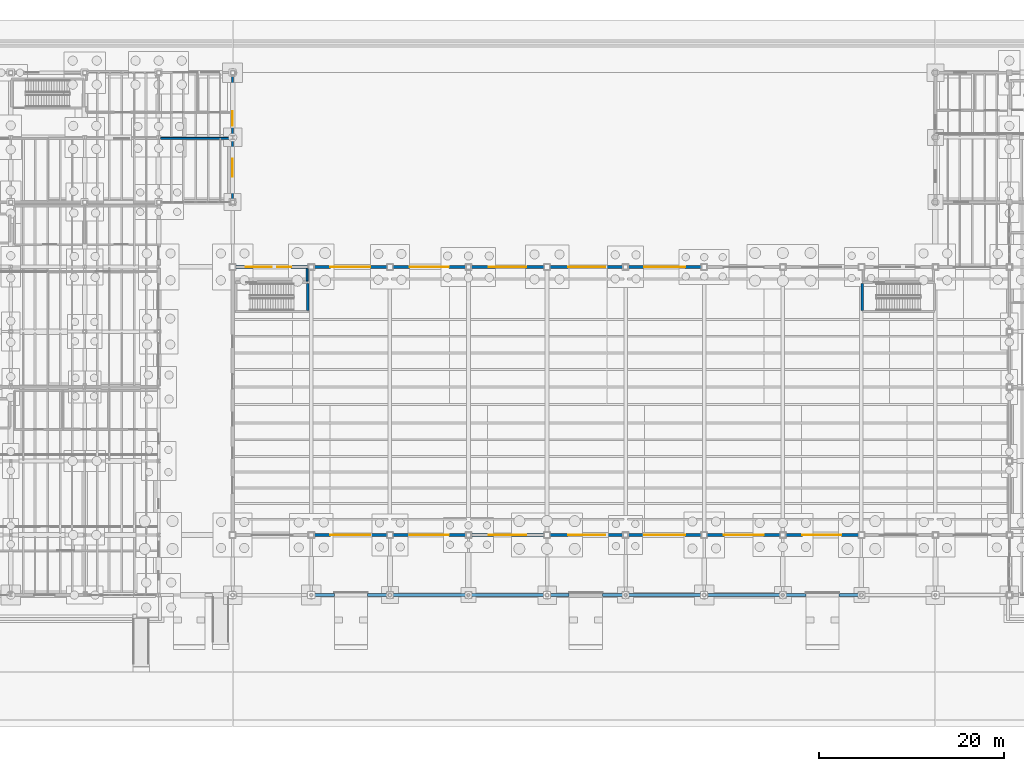
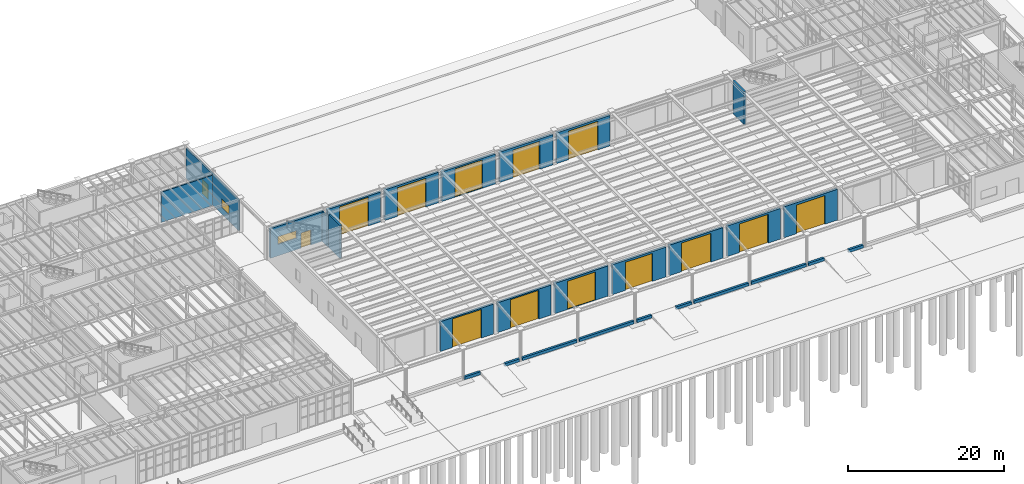
# One storey, part 63 of 86: 28 walls, 14 doors, 2 windows, 16 openings.
"""IFC4 building model written with IfcOpenShell, lengths in metres."""

from ifc_helpers import new_model, si_unit, direction, frame, frame_2d, origin, place, context, subcontext, project, spatial, rectangle, extrude, material, layer, layer_set, type_object, element, fill, save


model = new_model("IFC4")

# Units and contexts
model_context = context("Model", 3, precision=1e-05, world=origin(), true_north=direction((0.0, 1.0)))
body_context = subcontext(model_context, "Body", "Model", "MODEL_VIEW")
ifc_project = project(units=[si_unit("LENGTHUNIT", "METRE"), si_unit("AREAUNIT", "SQUARE_METRE"), si_unit("VOLUMEUNIT", "CUBIC_METRE"), si_unit("PLANEANGLEUNIT", "RADIAN"), si_unit("MASSUNIT", "GRAM", prefix="KILO"), si_unit("THERMODYNAMICTEMPERATUREUNIT", "KELVIN"), si_unit("POWERUNIT", "WATT")], contexts=[model_context])

# Site, building, storey
site_placement = place(None, origin())
site = spatial("IfcSite", under=ifc_project, at=site_placement, CompositionType="ELEMENT")
building_placement = place(site_placement, origin())
building = spatial("IfcBuilding", under=site, at=building_placement, Name="Zhenchuan Central Fire Station", CompositionType="ELEMENT")
storey_placement = place(building_placement, frame((0.0, 0.0, 0.449951171875)))
storey = spatial("IfcBuildingStorey", under=building, at=storey_placement, Name="L01", CompositionType="ELEMENT", Elevation=0.449951171875)

# Wall, openings, door, window
ifc_material_1 = material(Name="Sintered clay brick masonry MU15", Category="masonry")
ifc_layer_1 = layer(ifc_material_1, 0.35009765625, Name="Sintered clay brick masonry MU15", Category="masonry")
ifc_layer_set_1 = layer_set([ifc_layer_1], Name="Sintered clay brick masonry MU15")
wall_type_1 = type_object("IfcWallType", Name="EW-BRK350", PredefinedType="SOLIDWALL", material=ifc_layer_set_1)
wall_1_placement = place(storey_placement, frame((56.324951171875, 35.5, 0.0), z_axis=(0.0, 0.0, 1.0), x_axis=(1.0, 0.0, 0.0)))
wall_1 = element("IfcWall", 1, at=wall_1_placement, inside=storey, type_object=wall_type_1, Name="Appliance Bay 01 North Sintered Brick Return Wall", PredefinedType="SOLIDWALL", context=body_context, shape_type="SweptSolid", body=[
    extrude(rectangle(XDim=7.900146484375, YDim=0.35009765625, at=frame_2d((3.9501953125, 0.0))), origin(), (0.0, 0.0, 1.0), 4.64404296875),
])
opening_1_placement = place(wall_1_placement, frame((4.5, 0.0, 0.0)))
opening_1 = element("IfcOpeningElement", 2, at=opening_1_placement, cuts=wall_1, Name="Opening EX-001", PredefinedType="OPENING", context=body_context, shape_type="SweptSolid", body=[
    extrude(rectangle(XDim=1.5, YDim=2.39990234375, at=frame_2d((0.75, 1.199951171875))), frame((0.0, 0.18505859375, 0.0), z_axis=(0.0, -1.0, 0.0), x_axis=(1.0, 0.0, 0.0)), (0.0, 0.0, 1.0), 0.3701171875),
])
opening_2_placement = place(wall_1_placement, frame((1.10009765625, 0.0, 1.800048828125)))
opening_2 = element("IfcOpeningElement", 3, at=opening_2_placement, cuts=wall_1, Name="Opening W-38", PredefinedType="OPENING", context=body_context, shape_type="SweptSolid", body=[
    extrude(rectangle(XDim=2.800048828125, YDim=1.199951171875, at=frame_2d((1.39990234375, 0.60009765625))), frame((0.0, 0.18505859375, 0.0), z_axis=(0.0, -1.0, 0.0), x_axis=(1.0, 0.0, 0.0)), (0.0, 0.0, 1.0), 0.3701171875),
])
ifc_material_2 = material(Name="Powder-coated steel fire exit door", Category="steel")
door_type_1 = type_object("IfcDoorType", Name="ED-150x240", OperationType="NOTDEFINED", PredefinedType="DOOR", material=ifc_material_2)
door_1_placement = place(opening_1_placement, origin())
door_1 = element("IfcDoor", 4, at=door_1_placement, inside=storey, type_object=door_type_1, Name="Appliance Bay 01 North Courtyard Exit Door", OperationType="SINGLE_SWING_RIGHT", OverallHeight=2.39990234375, OverallWidth=1.5, PredefinedType="DOOR", context=body_context, shape_type="SweptSolid", body=[
    extrude(rectangle(XDim=1.5, YDim=2.39990234375, at=frame_2d((0.75, 1.199951171875))), frame((0.0, 0.02490234375, 0.0), z_axis=(0.0, -1.0, 0.0), x_axis=(1.0, 0.0, 0.0)), (0.0, 0.0, 1.0), 0.050048828125),
])
fill(opening_1, door_1)
ifc_material_3 = material(Name="Laminated low-E double glazing in aluminium frame", Category="aluminium")
window_type_1 = type_object("IfcWindowType", Name="WN-38", PartitioningType="SINGLE_PANEL", PredefinedType="WINDOW", material=ifc_material_3)
window_1_placement = place(opening_2_placement, origin())
window_1 = element("IfcWindow", 5, at=window_1_placement, inside=storey, type_object=window_type_1, Name="Exterior Window 0001", OverallHeight=1.199951171875, OverallWidth=2.800048828125, PartitioningType="SINGLE_PANEL", PredefinedType="WINDOW", context=body_context, shape_type="SweptSolid", body=[
    extrude(rectangle(XDim=2.800048828125, YDim=1.199951171875, at=frame_2d((1.39990234375, 0.60009765625))), frame((0.0, 0.030029296875, 0.0), z_axis=(0.0, -1.0, 0.0), x_axis=(1.0, 0.0, 0.0)), (0.0, 0.0, 1.0), 0.06005859375),
])
fill(opening_2, window_1)

# Wall, opening, door
wall_2_placement = place(storey_placement, frame((64.77490234375, 6.5, 0.0), z_axis=(0.0, 0.0, 1.0), x_axis=(1.0, 0.0, 0.0)))
wall_2 = element("IfcWall", 6, at=wall_2_placement, inside=storey, type_object=wall_type_1, Name="Appliance Bay 02 South Sintered Brick Portal Wall", PredefinedType="SOLIDWALL", context=body_context, shape_type="SweptSolid", body=[
    extrude(rectangle(XDim=7.900146484375, YDim=0.35009765625, at=frame_2d((3.9501953125, 0.0))), origin(), (0.0, 0.0, 1.0), 4.694091796875),
])
opening_3_placement = place(wall_2_placement, frame((1.800048828125, 0.0, 0.0)))
opening_3 = element("IfcOpeningElement", 7, at=opening_3_placement, cuts=wall_2, Name="Opening BG-002", PredefinedType="OPENING", context=body_context, shape_type="SweptSolid", body=[
    extrude(rectangle(XDim=4.300048828125, YDim=4.5, at=frame_2d((2.14990234375, 2.25))), frame((0.0, 0.18505859375, 0.0), z_axis=(0.0, -1.0, 0.0), x_axis=(1.0, 0.0, 0.0)), (0.0, 0.0, 1.0), 0.3701171875),
])
ifc_material_4 = material(Name="Anodised aluminium and laminated glazing", Category="aluminium")
door_type_2 = type_object("IfcDoorType", Name="DG-BAY-430x450", OperationType="NOTDEFINED", PredefinedType="GATE", material=ifc_material_4)
door_2_placement = place(opening_3_placement, frame((4.300048828125, 0.0, 0.0), z_axis=(0.0, 0.0, 1.0), x_axis=(-1.0, 0.0, 0.0)))
door_2 = element("IfcDoor", 8, at=door_2_placement, inside=storey, type_object=door_type_2, Name="Appliance South Glazed Bi-Fold Gate 02", OperationType="FOLDING_TO_RIGHT", OverallHeight=4.5, OverallWidth=4.300048828125, PredefinedType="GATE", context=body_context, shape_type="SweptSolid", body=[
    extrude(rectangle(XDim=4.300048828125, YDim=4.5, at=frame_2d((2.14990234375, 2.25))), frame((0.0, 0.02490234375, 0.0), z_axis=(0.0, -1.0, 0.0), x_axis=(1.0, 0.0, 0.0)), (0.0, 0.0, 1.0), 0.050048828125),
])
fill(opening_3, door_2)

wall_3_placement = place(storey_placement, frame((64.77490234375, 35.5, 0.0), z_axis=(0.0, 0.0, 1.0), x_axis=(1.0, 0.0, 0.0)))
wall_3 = element("IfcWall", 9, at=wall_3_placement, inside=storey, type_object=wall_type_1, Name="Appliance Bay 02 North Sintered Brick Return Wall", PredefinedType="SOLIDWALL", context=body_context, shape_type="SweptSolid", body=[
    extrude(rectangle(XDim=7.900146484375, YDim=0.35009765625, at=frame_2d((3.9501953125, 0.0))), origin(), (0.0, 0.0, 1.0), 4.694091796875),
])
opening_4_placement = place(wall_3_placement, frame((1.800048828125, 0.0, 0.0)))
opening_4 = element("IfcOpeningElement", 10, at=opening_4_placement, cuts=wall_3, Name="Opening BG-003", PredefinedType="OPENING", context=body_context, shape_type="SweptSolid", body=[
    extrude(rectangle(XDim=4.300048828125, YDim=4.5, at=frame_2d((2.14990234375, 2.25))), frame((0.0, 0.18505859375, 0.0), z_axis=(0.0, -1.0, 0.0), x_axis=(1.0, 0.0, 0.0)), (0.0, 0.0, 1.0), 0.3701171875),
])
door_3_placement = place(opening_4_placement, origin())
door_3 = element("IfcDoor", 11, at=door_3_placement, inside=storey, type_object=door_type_2, Name="Appliance North Glazed Bi-Fold Gate 02", OperationType="FOLDING_TO_LEFT", OverallHeight=4.5, OverallWidth=4.300048828125, PredefinedType="GATE", context=body_context, shape_type="SweptSolid", body=[
    extrude(rectangle(XDim=4.300048828125, YDim=4.5, at=frame_2d((2.14990234375, 2.25))), frame((0.0, 0.02490234375, 0.0), z_axis=(0.0, -1.0, 0.0), x_axis=(1.0, 0.0, 0.0)), (0.0, 0.0, 1.0), 0.050048828125),
])
fill(opening_4, door_3)

wall_4_placement = place(storey_placement, frame((73.324951171875, 6.5, 0.0), z_axis=(0.0, 0.0, 1.0), x_axis=(1.0, 0.0, 0.0)))
wall_4 = element("IfcWall", 12, at=wall_4_placement, inside=storey, type_object=wall_type_1, Name="Appliance Bay 03 South Sintered Brick Portal Wall", PredefinedType="SOLIDWALL", context=body_context, shape_type="SweptSolid", body=[
    extrude(rectangle(XDim=7.900146484375, YDim=0.35009765625, at=frame_2d((3.9501953125, 0.0))), origin(), (0.0, 0.0, 1.0), 4.694091796875),
])
opening_5_placement = place(wall_4_placement, frame((1.85009765625, 0.0, 0.0)))
opening_5 = element("IfcOpeningElement", 13, at=opening_5_placement, cuts=wall_4, Name="Opening BG-004", PredefinedType="OPENING", context=body_context, shape_type="SweptSolid", body=[
    extrude(rectangle(XDim=4.199951171875, YDim=4.5, at=frame_2d((2.10009765625, 2.25))), frame((0.0, 0.18505859375, 0.0), z_axis=(0.0, -1.0, 0.0), x_axis=(1.0, 0.0, 0.0)), (0.0, 0.0, 1.0), 0.3701171875),
])
door_type_3 = type_object("IfcDoorType", Name="DG-BAY-420x450", OperationType="NOTDEFINED", PredefinedType="GATE", material=ifc_material_4)
door_4_placement = place(opening_5_placement, frame((4.199951171875, 0.0, 0.0), z_axis=(0.0, 0.0, 1.0), x_axis=(-1.0, 0.0, 0.0)))
door_4 = element("IfcDoor", 14, at=door_4_placement, inside=storey, type_object=door_type_3, Name="Appliance South Glazed Bi-Fold Gate 03", OperationType="FOLDING_TO_RIGHT", OverallHeight=4.5, OverallWidth=4.199951171875, PredefinedType="GATE", context=body_context, shape_type="SweptSolid", body=[
    extrude(rectangle(XDim=4.199951171875, YDim=4.5, at=frame_2d((2.10009765625, 2.25))), frame((0.0, 0.02490234375, 0.0), z_axis=(0.0, -1.0, 0.0), x_axis=(1.0, 0.0, 0.0)), (0.0, 0.0, 1.0), 0.050048828125),
])
fill(opening_5, door_4)

wall_5_placement = place(storey_placement, frame((73.324951171875, 35.5, 0.0), z_axis=(0.0, 0.0, 1.0), x_axis=(1.0, 0.0, 0.0)))
wall_5 = element("IfcWall", 15, at=wall_5_placement, inside=storey, type_object=wall_type_1, Name="Appliance Bay 03 North Sintered Brick Return Wall", PredefinedType="SOLIDWALL", context=body_context, shape_type="SweptSolid", body=[
    extrude(rectangle(XDim=7.900146484375, YDim=0.35009765625, at=frame_2d((3.9501953125, 0.0))), origin(), (0.0, 0.0, 1.0), 4.7939453125),
])
opening_6_placement = place(wall_5_placement, frame((1.85009765625, 0.0, 0.0)))
opening_6 = element("IfcOpeningElement", 16, at=opening_6_placement, cuts=wall_5, Name="Opening BG-005", PredefinedType="OPENING", context=body_context, shape_type="SweptSolid", body=[
    extrude(rectangle(XDim=4.199951171875, YDim=4.5, at=frame_2d((2.10009765625, 2.25))), frame((0.0, 0.18505859375, 0.0), z_axis=(0.0, -1.0, 0.0), x_axis=(1.0, 0.0, 0.0)), (0.0, 0.0, 1.0), 0.3701171875),
])
door_5_placement = place(opening_6_placement, origin())
door_5 = element("IfcDoor", 17, at=door_5_placement, inside=storey, type_object=door_type_3, Name="Appliance North Glazed Bi-Fold Gate 03", OperationType="FOLDING_TO_LEFT", OverallHeight=4.5, OverallWidth=4.199951171875, PredefinedType="GATE", context=body_context, shape_type="SweptSolid", body=[
    extrude(rectangle(XDim=4.199951171875, YDim=4.5, at=frame_2d((2.10009765625, 2.25))), frame((0.0, 0.02490234375, 0.0), z_axis=(0.0, -1.0, 0.0), x_axis=(1.0, 0.0, 0.0)), (0.0, 0.0, 1.0), 0.050048828125),
])
fill(opening_6, door_5)

wall_6_placement = place(storey_placement, frame((81.77490234375, 6.5, 0.0), z_axis=(0.0, 0.0, 1.0), x_axis=(1.0, 0.0, 0.0)))
wall_6 = element("IfcWall", 18, at=wall_6_placement, inside=storey, type_object=wall_type_1, Name="Appliance Bay 04 South Sintered Brick Portal Wall", PredefinedType="SOLIDWALL", context=body_context, shape_type="SweptSolid", body=[
    extrude(rectangle(XDim=7.900146484375, YDim=0.35009765625, at=frame_2d((3.9501953125, 0.0))), origin(), (0.0, 0.0, 1.0), 4.744140625),
])
opening_7_placement = place(wall_6_placement, frame((1.89990234375, 0.0, 0.0)))
opening_7 = element("IfcOpeningElement", 19, at=opening_7_placement, cuts=wall_6, Name="Opening BG-006", PredefinedType="OPENING", context=body_context, shape_type="SweptSolid", body=[
    extrude(rectangle(XDim=4.10009765625, YDim=4.449951171875, at=frame_2d((2.050048828125, 2.22509765625))), frame((0.0, 0.18505859375, 0.0), z_axis=(0.0, -1.0, 0.0), x_axis=(1.0, 0.0, 0.0)), (0.0, 0.0, 1.0), 0.3701171875),
])
door_type_4 = type_object("IfcDoorType", Name="DG-BAY-410x445", OperationType="NOTDEFINED", PredefinedType="GATE", material=ifc_material_4)
door_6_placement = place(opening_7_placement, frame((4.10009765625, 0.0, 0.0), z_axis=(0.0, 0.0, 1.0), x_axis=(-1.0, 0.0, 0.0)))
door_6 = element("IfcDoor", 20, at=door_6_placement, inside=storey, type_object=door_type_4, Name="Appliance South Glazed Bi-Fold Gate 04", OperationType="FOLDING_TO_RIGHT", OverallHeight=4.449951171875, OverallWidth=4.10009765625, PredefinedType="GATE", context=body_context, shape_type="SweptSolid", body=[
    extrude(rectangle(XDim=4.10009765625, YDim=4.449951171875, at=frame_2d((2.050048828125, 2.22509765625))), frame((0.0, 0.02490234375, 0.0), z_axis=(0.0, -1.0, 0.0), x_axis=(1.0, 0.0, 0.0)), (0.0, 0.0, 1.0), 0.050048828125),
])
fill(opening_7, door_6)

wall_7_placement = place(storey_placement, frame((81.77490234375, 35.5, 0.0), z_axis=(0.0, 0.0, 1.0), x_axis=(1.0, 0.0, 0.0)))
wall_7 = element("IfcWall", 21, at=wall_7_placement, inside=storey, type_object=wall_type_1, Name="Appliance Bay 04 North Sintered Brick Return Wall", PredefinedType="SOLIDWALL", context=body_context, shape_type="SweptSolid", body=[
    extrude(rectangle(XDim=7.900146484375, YDim=0.35009765625, at=frame_2d((3.9501953125, 0.0))), origin(), (0.0, 0.0, 1.0), 4.694091796875),
])
opening_8_placement = place(wall_7_placement, frame((1.89990234375, 0.0, 0.0)))
opening_8 = element("IfcOpeningElement", 22, at=opening_8_placement, cuts=wall_7, Name="Opening BG-007", PredefinedType="OPENING", context=body_context, shape_type="SweptSolid", body=[
    extrude(rectangle(XDim=4.10009765625, YDim=4.449951171875, at=frame_2d((2.050048828125, 2.22509765625))), frame((0.0, 0.18505859375, 0.0), z_axis=(0.0, -1.0, 0.0), x_axis=(1.0, 0.0, 0.0)), (0.0, 0.0, 1.0), 0.3701171875),
])
door_7_placement = place(opening_8_placement, origin())
door_7 = element("IfcDoor", 23, at=door_7_placement, inside=storey, type_object=door_type_4, Name="Appliance North Glazed Bi-Fold Gate 04", OperationType="FOLDING_TO_LEFT", OverallHeight=4.449951171875, OverallWidth=4.10009765625, PredefinedType="GATE", context=body_context, shape_type="SweptSolid", body=[
    extrude(rectangle(XDim=4.10009765625, YDim=4.449951171875, at=frame_2d((2.050048828125, 2.22509765625))), frame((0.0, 0.02490234375, 0.0), z_axis=(0.0, -1.0, 0.0), x_axis=(1.0, 0.0, 0.0)), (0.0, 0.0, 1.0), 0.050048828125),
])
fill(opening_8, door_7)

wall_8_placement = place(storey_placement, frame((90.324951171875, 6.5, 0.0), z_axis=(0.0, 0.0, 1.0), x_axis=(1.0, 0.0, 0.0)))
wall_8 = element("IfcWall", 24, at=wall_8_placement, inside=storey, type_object=wall_type_1, Name="Appliance Bay 05 South Sintered Brick Portal Wall", PredefinedType="SOLIDWALL", context=body_context, shape_type="SweptSolid", body=[
    extrude(rectangle(XDim=7.900146484375, YDim=0.35009765625, at=frame_2d((3.9501953125, 0.0))), origin(), (0.0, 0.0, 1.0), 4.694091796875),
])
opening_9_placement = place(wall_8_placement, frame((1.949951171875, 0.0, 0.0)))
opening_9 = element("IfcOpeningElement", 25, at=opening_9_placement, cuts=wall_8, Name="Opening BG-008", PredefinedType="OPENING", context=body_context, shape_type="SweptSolid", body=[
    extrude(rectangle(XDim=4.0, YDim=4.39990234375, at=frame_2d((2.0, 2.199951171875))), frame((0.0, 0.18505859375, 0.0), z_axis=(0.0, -1.0, 0.0), x_axis=(1.0, 0.0, 0.0)), (0.0, 0.0, 1.0), 0.3701171875),
])
door_type_5 = type_object("IfcDoorType", Name="DG-BAY-400x440", OperationType="NOTDEFINED", PredefinedType="GATE", material=ifc_material_4)
door_8_placement = place(opening_9_placement, frame((4.0, 0.0, 0.0), z_axis=(0.0, 0.0, 1.0), x_axis=(-1.0, 0.0, 0.0)))
door_8 = element("IfcDoor", 26, at=door_8_placement, inside=storey, type_object=door_type_5, Name="Appliance South Glazed Bi-Fold Gate 05", OperationType="FOLDING_TO_RIGHT", OverallHeight=4.39990234375, OverallWidth=4.0, PredefinedType="GATE", context=body_context, shape_type="SweptSolid", body=[
    extrude(rectangle(XDim=4.0, YDim=4.39990234375, at=frame_2d((2.0, 2.199951171875))), frame((0.0, 0.02490234375, 0.0), z_axis=(0.0, -1.0, 0.0), x_axis=(1.0, 0.0, 0.0)), (0.0, 0.0, 1.0), 0.050048828125),
])
fill(opening_9, door_8)

wall_9_placement = place(storey_placement, frame((90.324951171875, 35.5, 0.0), z_axis=(0.0, 0.0, 1.0), x_axis=(1.0, 0.0, 0.0)))
wall_9 = element("IfcWall", 27, at=wall_9_placement, inside=storey, type_object=wall_type_1, Name="Appliance Bay 05 North Sintered Brick Return Wall", PredefinedType="SOLIDWALL", context=body_context, shape_type="SweptSolid", body=[
    extrude(rectangle(XDim=7.900146484375, YDim=0.35009765625, at=frame_2d((3.9501953125, 0.0))), origin(), (0.0, 0.0, 1.0), 4.754150390625),
])
opening_10_placement = place(wall_9_placement, frame((1.949951171875, 0.0, 0.0)))
opening_10 = element("IfcOpeningElement", 28, at=opening_10_placement, cuts=wall_9, Name="Opening BG-009", PredefinedType="OPENING", context=body_context, shape_type="SweptSolid", body=[
    extrude(rectangle(XDim=4.0, YDim=4.39990234375, at=frame_2d((2.0, 2.199951171875))), frame((0.0, 0.18505859375, 0.0), z_axis=(0.0, -1.0, 0.0), x_axis=(1.0, 0.0, 0.0)), (0.0, 0.0, 1.0), 0.3701171875),
])
door_9_placement = place(opening_10_placement, origin())
door_9 = element("IfcDoor", 29, at=door_9_placement, inside=storey, type_object=door_type_5, Name="Appliance North Glazed Bi-Fold Gate 05", OperationType="FOLDING_TO_LEFT", OverallHeight=4.39990234375, OverallWidth=4.0, PredefinedType="GATE", context=body_context, shape_type="SweptSolid", body=[
    extrude(rectangle(XDim=4.0, YDim=4.39990234375, at=frame_2d((2.0, 2.199951171875))), frame((0.0, 0.02490234375, 0.0), z_axis=(0.0, -1.0, 0.0), x_axis=(1.0, 0.0, 0.0)), (0.0, 0.0, 1.0), 0.050048828125),
])
fill(opening_10, door_9)

wall_10_placement = place(storey_placement, frame((98.77490234375, 6.5, 0.0), z_axis=(0.0, 0.0, 1.0), x_axis=(1.0, 0.0, 0.0)))
wall_10 = element("IfcWall", 30, at=wall_10_placement, inside=storey, type_object=wall_type_1, Name="Appliance Bay 06 South Sintered Brick Portal Wall", PredefinedType="SOLIDWALL", context=body_context, shape_type="SweptSolid", body=[
    extrude(rectangle(XDim=7.900146484375, YDim=0.35009765625, at=frame_2d((3.9501953125, 0.0))), origin(), (0.0, 0.0, 1.0), 4.7939453125),
])
opening_11_placement = place(wall_10_placement, frame((1.75, 0.0, 0.0)))
opening_11 = element("IfcOpeningElement", 31, at=opening_11_placement, cuts=wall_10, Name="Opening BG-010", PredefinedType="OPENING", context=body_context, shape_type="SweptSolid", body=[
    extrude(rectangle(XDim=4.39990234375, YDim=4.5, at=frame_2d((2.199951171875, 2.25))), frame((0.0, 0.18505859375, 0.0), z_axis=(0.0, -1.0, 0.0), x_axis=(1.0, 0.0, 0.0)), (0.0, 0.0, 1.0), 0.3701171875),
])
door_type_6 = type_object("IfcDoorType", Name="DG-BAY-440x450", OperationType="NOTDEFINED", PredefinedType="GATE", material=ifc_material_4)
door_10_placement = place(opening_11_placement, frame((4.39990234375, 0.0, 0.0), z_axis=(0.0, 0.0, 1.0), x_axis=(-1.0, 0.0, 0.0)))
door_10 = element("IfcDoor", 32, at=door_10_placement, inside=storey, type_object=door_type_6, Name="Appliance South Glazed Bi-Fold Gate 06", OperationType="FOLDING_TO_RIGHT", OverallHeight=4.5, OverallWidth=4.39990234375, PredefinedType="GATE", context=body_context, shape_type="SweptSolid", body=[
    extrude(rectangle(XDim=4.39990234375, YDim=4.5, at=frame_2d((2.199951171875, 2.25))), frame((0.0, 0.02490234375, 0.0), z_axis=(0.0, -1.0, 0.0), x_axis=(1.0, 0.0, 0.0)), (0.0, 0.0, 1.0), 0.050048828125),
])
fill(opening_11, door_10)

wall_11_placement = place(storey_placement, frame((98.77490234375, 35.5, 0.0), z_axis=(0.0, 0.0, 1.0), x_axis=(1.0, 0.0, 0.0)))
wall_11 = element("IfcWall", 33, at=wall_11_placement, inside=storey, type_object=wall_type_1, Name="Appliance Bay 06 North Sintered Brick Return Wall", PredefinedType="SOLIDWALL", context=body_context, shape_type="SweptSolid", body=[
    extrude(rectangle(XDim=7.900146484375, YDim=0.35009765625, at=frame_2d((3.9501953125, 0.0))), origin(), (0.0, 0.0, 1.0), 4.803955078125),
])
opening_12_placement = place(wall_11_placement, frame((1.75, 0.0, 0.0)))
opening_12 = element("IfcOpeningElement", 34, at=opening_12_placement, cuts=wall_11, Name="Opening BG-011", PredefinedType="OPENING", context=body_context, shape_type="SweptSolid", body=[
    extrude(rectangle(XDim=4.39990234375, YDim=4.5, at=frame_2d((2.199951171875, 2.25))), frame((0.0, 0.18505859375, 0.0), z_axis=(0.0, -1.0, 0.0), x_axis=(1.0, 0.0, 0.0)), (0.0, 0.0, 1.0), 0.3701171875),
])
door_11_placement = place(opening_12_placement, origin())
door_11 = element("IfcDoor", 35, at=door_11_placement, inside=storey, type_object=door_type_6, Name="Appliance North Glazed Bi-Fold Gate 06", OperationType="FOLDING_TO_LEFT", OverallHeight=4.5, OverallWidth=4.39990234375, PredefinedType="GATE", context=body_context, shape_type="SweptSolid", body=[
    extrude(rectangle(XDim=4.39990234375, YDim=4.5, at=frame_2d((2.199951171875, 2.25))), frame((0.0, 0.02490234375, 0.0), z_axis=(0.0, -1.0, 0.0), x_axis=(1.0, 0.0, 0.0)), (0.0, 0.0, 1.0), 0.050048828125),
])
fill(opening_12, door_11)

wall_12_placement = place(storey_placement, frame((107.324951171875, 6.5, 0.0), z_axis=(0.0, 0.0, 1.0), x_axis=(1.0, 0.0, 0.0)))
wall_12 = element("IfcWall", 36, at=wall_12_placement, inside=storey, type_object=wall_type_1, Name="Appliance Bay 07 South Sintered Brick Portal Wall", PredefinedType="SOLIDWALL", context=body_context, shape_type="SweptSolid", body=[
    extrude(rectangle(XDim=7.900146484375, YDim=0.35009765625, at=frame_2d((3.9501953125, 0.0))), origin(), (0.0, 0.0, 1.0), 4.803955078125),
])
opening_13_placement = place(wall_12_placement, frame((1.800048828125, 0.0, 0.0)))
opening_13 = element("IfcOpeningElement", 37, at=opening_13_placement, cuts=wall_12, Name="Opening BG-012", PredefinedType="OPENING", context=body_context, shape_type="SweptSolid", body=[
    extrude(rectangle(XDim=4.300048828125, YDim=4.5, at=frame_2d((2.14990234375, 2.25))), frame((0.0, 0.18505859375, 0.0), z_axis=(0.0, -1.0, 0.0), x_axis=(1.0, 0.0, 0.0)), (0.0, 0.0, 1.0), 0.3701171875),
])
door_12_placement = place(opening_13_placement, frame((4.300048828125, 0.0, 0.0), z_axis=(0.0, 0.0, 1.0), x_axis=(-1.0, 0.0, 0.0)))
door_12 = element("IfcDoor", 38, at=door_12_placement, inside=storey, type_object=door_type_2, Name="Appliance South Glazed Bi-Fold Gate 07", OperationType="FOLDING_TO_RIGHT", OverallHeight=4.5, OverallWidth=4.300048828125, PredefinedType="GATE", context=body_context, shape_type="SweptSolid", body=[
    extrude(rectangle(XDim=4.300048828125, YDim=4.5, at=frame_2d((2.14990234375, 2.25))), frame((0.0, 0.02490234375, 0.0), z_axis=(0.0, -1.0, 0.0), x_axis=(1.0, 0.0, 0.0)), (0.0, 0.0, 1.0), 0.050048828125),
])
fill(opening_13, door_12)

wall_13_placement = place(storey_placement, frame((115.77490234375, 6.5, 0.0), z_axis=(0.0, 0.0, 1.0), x_axis=(1.0, 0.0, 0.0)))
wall_13 = element("IfcWall", 39, at=wall_13_placement, inside=storey, type_object=wall_type_1, Name="Appliance Bay 08 South Sintered Brick Portal Wall", PredefinedType="SOLIDWALL", context=body_context, shape_type="SweptSolid", body=[
    extrude(rectangle(XDim=7.900146484375, YDim=0.35009765625, at=frame_2d((3.9501953125, 0.0))), origin(), (0.0, 0.0, 1.0), 4.85400390625),
])
opening_14_placement = place(wall_13_placement, frame((1.85009765625, 0.0, 0.0)))
opening_14 = element("IfcOpeningElement", 40, at=opening_14_placement, cuts=wall_13, Name="Opening BG-014", PredefinedType="OPENING", context=body_context, shape_type="SweptSolid", body=[
    extrude(rectangle(XDim=4.199951171875, YDim=4.5, at=frame_2d((2.10009765625, 2.25))), frame((0.0, 0.18505859375, 0.0), z_axis=(0.0, -1.0, 0.0), x_axis=(1.0, 0.0, 0.0)), (0.0, 0.0, 1.0), 0.3701171875),
])
door_13_placement = place(opening_14_placement, frame((4.199951171875, 0.0, 0.0), z_axis=(0.0, 0.0, 1.0), x_axis=(-1.0, 0.0, 0.0)))
door_13 = element("IfcDoor", 41, at=door_13_placement, inside=storey, type_object=door_type_3, Name="Appliance South Glazed Bi-Fold Gate 08", OperationType="FOLDING_TO_RIGHT", OverallHeight=4.5, OverallWidth=4.199951171875, PredefinedType="GATE", context=body_context, shape_type="SweptSolid", body=[
    extrude(rectangle(XDim=4.199951171875, YDim=4.5, at=frame_2d((2.10009765625, 2.25))), frame((0.0, 0.02490234375, 0.0), z_axis=(0.0, -1.0, 0.0), x_axis=(1.0, 0.0, 0.0)), (0.0, 0.0, 1.0), 0.050048828125),
])
fill(opening_14, door_13)

# Walls
ifc_material_5 = material(Name="Concrete C35/45", Category="concrete")
ifc_layer_2 = layer(ifc_material_5, 0.320068359375, Name="Concrete C35/45", Category="concrete")
ifc_layer_set_2 = layer_set([ifc_layer_2], Name="Concrete C35/45")
wall_type_2 = type_object("IfcWallType", Name="EW-PLN320", PredefinedType="SOLIDWALL", material=ifc_layer_set_2)
wall_14_placement = place(storey_placement, frame((64.666015625, 0.0, -0.449951171875), z_axis=(0.0, 0.0, 1.0), x_axis=(1.0, 0.0, 0.0)))
element("IfcWall", 42, at=wall_14_placement, inside=storey, type_object=wall_type_2, Name="Plinth Perimeter Retaining Stem Wall FC-04", PredefinedType="SOLIDWALL", context=body_context, shape_type="SweptSolid", body=[
    extrude(rectangle(XDim=2.330078125, YDim=0.320068359375, at=frame_2d((1.1650390625, 0.0))), origin(), (0.0, 0.0, 1.0), 0.449951171875),
])
wall_15_placement = place(storey_placement, frame((70.60400390625, 0.0, -0.449951171875), z_axis=(0.0, 0.0, 1.0), x_axis=(1.0, 0.0, 0.0)))
element("IfcWall", 43, at=wall_15_placement, inside=storey, type_object=wall_type_2, Name="Plinth Perimeter Retaining Stem Wall FC-05", PredefinedType="SOLIDWALL", context=body_context, shape_type="SweptSolid", body=[
    extrude(rectangle(XDim=2.18896484375, YDim=0.320068359375, at=frame_2d((1.094482421875, 0.0))), origin(), (0.0, 0.0, 1.0), 0.449951171875),
])
for number, where, z_axis, x_axis, name in (
    (44, (73.20703125, 0.0, -0.449951171875), (0.0, 0.0, 1.0), (1.0, 0.0, 0.0), "Plinth Perimeter Retaining Stem Wall FC-06"),
    (45, (81.666015625, 0.0, -0.449951171875), (0.0, 0.0, 1.0), (1.0, 0.0, 0.0), "Plinth Perimeter Retaining Stem Wall FC-07"),
):
    element("IfcWall", number, at=place(storey_placement, frame(where, z_axis=z_axis, x_axis=x_axis)), inside=storey, type_object=wall_type_2, Name=name, PredefinedType="SOLIDWALL", context=body_context, shape_type="SweptSolid", body=[
        extrude(rectangle(XDim=8.126953125, YDim=0.320068359375, at=frame_2d((4.0634765625, 0.0))), origin(), (0.0, 0.0, 1.0), 0.449951171875),
    ])
wall_16_placement = place(storey_placement, frame((90.20703125, 0.0, -0.449951171875), z_axis=(0.0, 0.0, 1.0), x_axis=(1.0, 0.0, 0.0)))
element("IfcWall", 46, at=wall_16_placement, inside=storey, type_object=wall_type_2, Name="Plinth Perimeter Retaining Stem Wall FC-08", PredefinedType="SOLIDWALL", context=body_context, shape_type="SweptSolid", body=[
    extrude(rectangle(XDim=2.18896484375, YDim=0.320068359375, at=frame_2d((1.094482421875, 0.0))), origin(), (0.0, 0.0, 1.0), 0.449951171875),
])
wall_17_placement = place(storey_placement, frame((96.00390625, 0.0, -0.449951171875), z_axis=(0.0, 0.0, 1.0), x_axis=(1.0, 0.0, 0.0)))
element("IfcWall", 47, at=wall_17_placement, inside=storey, type_object=wall_type_2, Name="Plinth Perimeter Retaining Stem Wall FC-09", PredefinedType="SOLIDWALL", context=body_context, shape_type="SweptSolid", body=[
    extrude(rectangle(XDim=2.330078125, YDim=0.320068359375, at=frame_2d((1.1650390625, 0.0))), origin(), (0.0, 0.0, 1.0), 0.449951171875),
])
for number, where, z_axis, x_axis, name in (
    (48, (98.666015625, 0.0, -0.449951171875), (0.0, 0.0, 1.0), (1.0, 0.0, 0.0), "Plinth Perimeter Retaining Stem Wall FC-10"),
    (49, (107.20703125, 0.0, -0.449951171875), (0.0, 0.0, 1.0), (1.0, 0.0, 0.0), "Plinth Perimeter Retaining Stem Wall FC-11"),
):
    element("IfcWall", number, at=place(storey_placement, frame(where, z_axis=z_axis, x_axis=x_axis)), inside=storey, type_object=wall_type_2, Name=name, PredefinedType="SOLIDWALL", context=body_context, shape_type="SweptSolid", body=[
        extrude(rectangle(XDim=8.126953125, YDim=0.320068359375, at=frame_2d((4.0634765625, 0.0))), origin(), (0.0, 0.0, 1.0), 0.449951171875),
    ])
wall_18_placement = place(storey_placement, frame((115.666015625, 0.0, -0.449951171875), z_axis=(0.0, 0.0, 1.0), x_axis=(1.0, 0.0, 0.0)))
element("IfcWall", 50, at=wall_18_placement, inside=storey, type_object=wall_type_2, Name="Plinth Perimeter Retaining Stem Wall FC-12", PredefinedType="SOLIDWALL", context=body_context, shape_type="SweptSolid", body=[
    extrude(rectangle(XDim=2.330078125, YDim=0.320068359375, at=frame_2d((1.1650390625, 0.0))), origin(), (0.0, 0.0, 1.0), 0.449951171875),
])
wall_19_placement = place(storey_placement, frame((121.60400390625, 0.0, -0.449951171875), z_axis=(0.0, 0.0, 1.0), x_axis=(1.0, 0.0, 0.0)))
element("IfcWall", 51, at=wall_19_placement, inside=storey, type_object=wall_type_2, Name="Plinth Perimeter Retaining Stem Wall FC-13", PredefinedType="SOLIDWALL", context=body_context, shape_type="SweptSolid", body=[
    extrude(rectangle(XDim=2.18896484375, YDim=0.320068359375, at=frame_2d((1.094482421875, 0.0))), origin(), (0.0, 0.0, 1.0), 0.449951171875),
])

# Wall, openings, door, window
ifc_material_6 = material(Name="Precast concrete C40/50", Category="concrete")
ifc_layer_3 = layer(ifc_material_6, 0.219970703125, Name="Precast concrete C40/50", Category="concrete")
ifc_layer_set_3 = layer_set([ifc_layer_3], Name="Precast concrete C40/50")
wall_type_3 = type_object("IfcWallType", Name="EW-PRC220", PredefinedType="SOLIDWALL", material=ifc_layer_set_3)
wall_20_placement = place(storey_placement, frame((56.0, 42.72509765625, 0.0), z_axis=(0.0, 0.0, 1.0), x_axis=(0.0, 1.0, 0.0)))
wall_20 = element("IfcWall", 52, at=wall_20_placement, inside=storey, type_object=wall_type_3, Name="EW-L01-V3E", PredefinedType="SOLIDWALL", context=body_context, shape_type="SweptSolid", body=[
    extrude(rectangle(XDim=13.5498046875, YDim=0.219970703125, at=frame_2d((6.77490234375, 0.0))), origin(), (0.0, 0.0, 1.0), 4.754150390625),
])
opening_15_placement = place(wall_20_placement, frame((8.050048828125, 0.0, 0.0)))
opening_15 = element("IfcOpeningElement", 53, at=opening_15_placement, cuts=wall_20, Name="Opening EX-010", PredefinedType="OPENING", context=body_context, shape_type="SweptSolid", body=[
    extrude(rectangle(XDim=1.550048828125, YDim=2.300048828125, at=frame_2d((0.77490234375, 1.14990234375))), frame((0.0, 0.119873046875, 0.0), z_axis=(0.0, -1.0, 0.0), x_axis=(1.0, 0.0, 0.0)), (0.0, 0.0, 1.0), 0.239990234375),
])
opening_16_placement = place(wall_20_placement, frame((2.5, 0.0, 1.0)))
opening_16 = element("IfcOpeningElement", 54, at=opening_16_placement, cuts=wall_20, Name="Opening W-44", PredefinedType="OPENING", context=body_context, shape_type="SweptSolid", body=[
    extrude(rectangle(XDim=1.949951171875, YDim=1.300048828125, at=frame_2d((0.97509765625, 0.64990234375))), frame((0.0, 0.119873046875, 0.0), z_axis=(0.0, -1.0, 0.0), x_axis=(1.0, 0.0, 0.0)), (0.0, 0.0, 1.0), 0.239990234375),
])
ifc_material_7 = material(Name="Powder-coated steel turnout exit door", Category="steel")
door_type_7 = type_object("IfcDoorType", Name="ED-155x230", OperationType="NOTDEFINED", PredefinedType="DOOR", material=ifc_material_7)
door_14_placement = place(opening_15_placement, frame((1.550048828125, 0.0, 0.0), z_axis=(0.0, 0.0, 1.0), x_axis=(-1.0, 0.0, 0.0)))
door_14 = element("IfcDoor", 55, at=door_14_placement, inside=storey, type_object=door_type_7, Name="Crew Courtyard East Turnout Exit", OperationType="SINGLE_SWING_LEFT", OverallHeight=2.300048828125, OverallWidth=1.550048828125, PredefinedType="DOOR", context=body_context, shape_type="SweptSolid", body=[
    extrude(rectangle(XDim=1.550048828125, YDim=2.300048828125, at=frame_2d((0.77490234375, 1.14990234375))), frame((0.0, 0.02490234375, 0.0), z_axis=(0.0, -1.0, 0.0), x_axis=(1.0, 0.0, 0.0)), (0.0, 0.0, 1.0), 0.050048828125),
])
fill(opening_15, door_14)
window_type_2 = type_object("IfcWindowType", Name="WN-44", PartitioningType="SINGLE_PANEL", PredefinedType="WINDOW", material=ifc_material_3)
window_2_placement = place(opening_16_placement, origin())
window_2 = element("IfcWindow", 56, at=window_2_placement, inside=storey, type_object=window_type_2, Name="Exterior Window 0052", OverallHeight=1.300048828125, OverallWidth=1.949951171875, PartitioningType="SINGLE_PANEL", PredefinedType="WINDOW", context=body_context, shape_type="SweptSolid", body=[
    extrude(rectangle(XDim=1.949951171875, YDim=1.300048828125, at=frame_2d((0.97509765625, 0.64990234375))), frame((0.0, 0.030029296875, 0.0), z_axis=(0.0, -1.0, 0.0), x_axis=(1.0, 0.0, 0.0)), (0.0, 0.0, 1.0), 0.06005859375),
])
fill(opening_16, window_2)

# Walls
ifc_material_8 = material(Name="Autoclaved aerated concrete blockwork", Category="masonry")
ifc_layer_4 = layer(ifc_material_8, 0.199951171875, Name="Autoclaved aerated concrete blockwork", Category="masonry")
ifc_layer_set_4 = layer_set([ifc_layer_4], Name="Autoclaved aerated concrete blockwork")
wall_type_4 = type_object("IfcWallType", Name="IW-FIR200", PredefinedType="PARTITIONING", material=ifc_layer_set_4)
wall_21_placement = place(storey_placement, frame((64.050048828125, 33.9541015625, 0.0), z_axis=(0.0, 0.0, 1.0), x_axis=(0.0, 1.0, 0.0)))
element("IfcWall", 57, at=wall_21_placement, inside=storey, type_object=wall_type_4, Name="ST-08 Protected Exit Vestibule East Fire Wall", PredefinedType="PARTITIONING", context=body_context, shape_type="SweptSolid", body=[
    extrude(rectangle(XDim=1.366943359375, YDim=0.199951171875, at=frame_2d((0.68359375, 0.0))), origin(), (0.0, 0.0, 1.0), 4.72998046875),
])
wall_22_placement = place(storey_placement, frame((48.202880859375, 49.39990234375, 0.0), z_axis=(0.0, 0.0, 1.0), x_axis=(1.0, 0.0, 0.0)))
element("IfcWall", 58, at=wall_22_placement, inside=storey, type_object=wall_type_4, Name="Station Watch Room N Partition 3", PredefinedType="PARTITIONING", context=body_context, shape_type="SweptSolid", body=[
    extrude(rectangle(XDim=7.59423828125, YDim=0.199951171875, at=frame_2d((3.797119140625, 0.0))), origin(), (0.0, 0.0, 1.0), 4.744140625),
])
ifc_material_9 = material(Name="Concrete C40/50", Category="concrete")
ifc_layer_5 = layer(ifc_material_9, 0.25, Name="Concrete C40/50", Category="concrete")
ifc_layer_set_5 = layer_set([ifc_layer_5], Name="Concrete C40/50")
wall_type_5 = type_object("IfcWallType", Name="IW-SHR250", PredefinedType="SHEAR", material=ifc_layer_set_5)
for number, where, z_axis, x_axis, name in (
    (59, (64.135009765625, 30.800048828125, 0.0), (0.0, 0.0, 1.0), (0.0, 1.0, 0.0), "ST-08 L01 East Core Wall"),
    (60, (124.094970703125, 30.800048828125, 0.0), (0.0, 0.0, 1.0), (0.0, 1.0, 0.0), "ST-09 L01 West Core Wall"),
):
    element("IfcWall", number, at=place(storey_placement, frame(where, z_axis=z_axis, x_axis=x_axis)), inside=storey, type_object=wall_type_5, Name=name, PredefinedType="SHEAR", context=body_context, shape_type="SweptSolid", body=[
        extrude(rectangle(XDim=2.89990234375, YDim=0.25, at=frame_2d((1.449951171875, 0.0))), origin(), (0.0, 0.0, 1.0), 5.199951171875),
    ])

save(model, "model.ifc")
